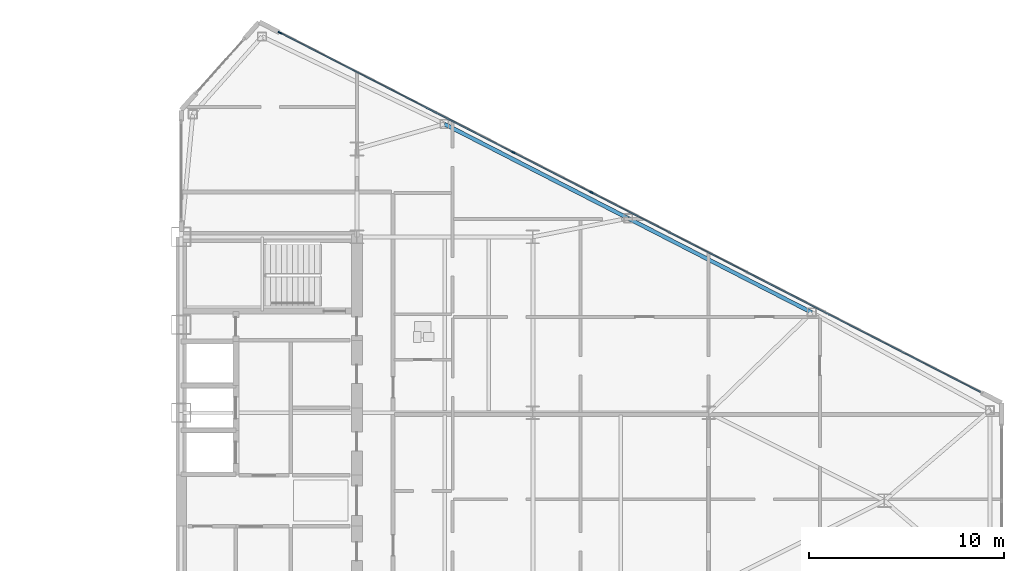
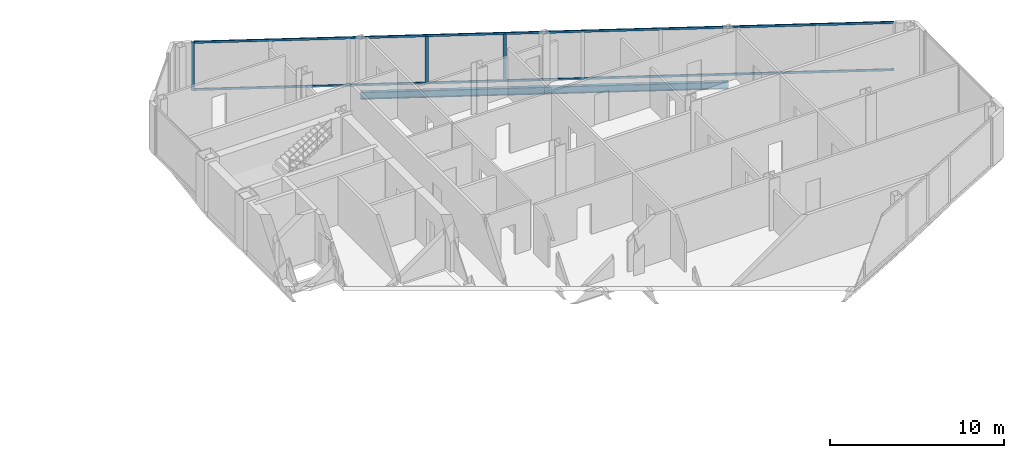
# One storey, part 12 of 22: 5 members, 2 beams, 1 element without a shape of its own.
"""IFC4 building model written with IfcOpenShell, lengths in metres."""

from ifc_helpers import new_model, si_unit, direction, frame, origin, origin_2d, place, context, subcontext, project, spatial, rectangle, i_section, extrude, source, transform, mapped, material, layer, layer_set, material_profile, profile_set, type_object, type_shapes, element, aggregate, save


model = new_model("IFC4")

# Units and contexts
model_context = context("Model", 3, precision=1e-05, world=origin(), true_north=direction((0.0, 1.0)))
body_context = subcontext(model_context, "Body", "Model", "MODEL_VIEW")
ifc_project = project(units=[si_unit("LENGTHUNIT", "METRE"), si_unit("AREAUNIT", "SQUARE_METRE"), si_unit("VOLUMEUNIT", "CUBIC_METRE"), si_unit("PLANEANGLEUNIT", "RADIAN"), si_unit("MASSUNIT", "GRAM", prefix="KILO")], contexts=[model_context])

# Site, building, storey
site_placement = place(None, origin())
site = spatial("IfcSite", under=ifc_project, at=site_placement, CompositionType="ELEMENT")
building_placement = place(site_placement, origin())
building = spatial("IfcBuilding", under=site, at=building_placement, Name="Seokmaru Belvedere", CompositionType="ELEMENT")
storey_placement = place(building_placement, frame((0.0, 0.0, 151.199951171875)))
storey = spatial("IfcBuildingStorey", under=building, at=storey_placement, Name="L40", CompositionType="ELEMENT", Elevation=151.199951171875)

# Beams
ifc_material_1 = material(Name="Steel SM355 (355 MPa)", Category="steel")
ifc_material_profile_1 = material_profile(ifc_material_1, i_section(OverallWidth=0.199951171875, OverallDepth=0.5, WebThickness=0.010009765625, FlangeThickness=0.01611328125, at=origin_2d()), Name="H-500x200x10x16")
ifc_profile_set_1 = profile_set([ifc_material_profile_1], Name="Steel SM355 (355 MPa)")
beam_type = type_object("IfcBeamType", Name="Perimeter Spandrel Beam H-500", PredefinedType="SPANDREL", material=ifc_profile_set_1)
shared_shape_1 = source(origin(), body_context, "Body", "SweptSolid", [
    extrude(i_section(OverallWidth=0.199951171875, OverallDepth=0.5, WebThickness=0.010009765625, FlangeThickness=0.01611328125, at=origin_2d()), origin(), (0.0, 0.0, 1.0), 10.56689453125),
])
type_shapes(beam_type, [shared_shape_1])
for number, where, z_axis, x_axis, name in (
    (1, (40.975830078125, 19.277587890625, -0.469970703125), (0.889701972758, -0.45654178305, 0.0), (0.45654178305, 0.889701972758, 0.0), "L40 E Faceted Flank Spandrel N-2"),
    (2, (50.377197265625, 14.453369140625, -0.469970703125), (0.889692588006, -0.456560071455, 0.0), (0.456560071455, 0.889692588006, 0.0), "L40 E Faceted Flank Spandrel N-3"),
):
    element("IfcBeam", number, at=place(storey_placement, frame(where, z_axis=z_axis, x_axis=x_axis)), inside=storey, type_object=beam_type, Name=name, PredefinedType="SPANDREL", context=body_context, shape_type="MappedRepresentation", body=[
        mapped(shared_shape_1, transform((0.0, 0.0, 0.0), scale=1.0)),
    ])

# Curtain wall, members
ifc_material_2 = material(Name="Bronze Triple Insulating Glass", Category="glass")
ifc_layer = layer(ifc_material_2, 0.195068359375)
ifc_layer_set = layer_set([ifc_layer], Name="Bronze Triple Insulating Glass")
curtain_wall_type = type_object("IfcCurtainWallType", Name="Sky-Lobby and Mid-Rise Curtain Wall System CW-4", PredefinedType="NOTDEFINED", material=ifc_layer_set)
curtain_wall_placement = place(storey_placement, origin())
curtain_wall = element("IfcCurtainWall", 3, at=curtain_wall_placement, inside=storey, type_object=curtain_wall_type, Name="L40 Curtain Wall EF3", PredefinedType="NOTDEFINED")
ifc_material_3 = material(Name="Anodised Bronze Aluminium", Category="aluminium")
ifc_material_profile_2 = material_profile(ifc_material_3, rectangle(XDim=0.070068359375, YDim=0.195068359375, at=origin_2d()), Name="CW-M-70x195")
ifc_profile_set_2 = profile_set([ifc_material_profile_2], Name="Anodised Bronze Aluminium")
member_type_1 = type_object("IfcMemberType", Name="Bronze Unitised Mullion 70x195", PredefinedType="MULLION", material=ifc_profile_set_2)
shared_shape_2 = source(origin(), body_context, "Body", "SweptSolid", [
    extrude(rectangle(XDim=0.070068359375, YDim=0.195068359375, at=origin_2d()), origin(), (0.0, 0.0, 1.0), 3.380126953125),
])
member_1_placement = place(storey_placement, frame((32.55419921875, 23.958984375, 0.0), z_axis=(0.0, 0.0, 1.0), x_axis=(-0.456554528263, -0.889695432562, 0.0)))
member_1 = element("IfcMember", 4, at=member_1_placement, type_object=member_type_1, Name="CW:L40:EF3 Mullion 10", PredefinedType="MULLION", context=body_context, shape_type="MappedRepresentation", body=[
    mapped(shared_shape_2, transform((0.0, 0.0, 0.0), scale=1.0)),
])
shared_shape_3 = source(origin(), body_context, "Body", "SweptSolid", [
    extrude(rectangle(XDim=0.070068359375, YDim=0.195068359375, at=origin_2d()), origin(), (0.0, 0.0, 1.0), 3.25),
])
type_shapes(member_type_1, [shared_shape_2, shared_shape_3])
member_2_placement = place(storey_placement, frame((48.502685546875, 15.77490234375, 0.06494140625), z_axis=(0.0, 0.0, 1.0), x_axis=(-0.456554528263, -0.889695432562, 0.0)))
member_2 = element("IfcMember", 5, at=member_2_placement, type_object=member_type_1, Name="CW:L40:EF3 Mullion 6", PredefinedType="MULLION", context=body_context, shape_type="MappedRepresentation", body=[
    mapped(shared_shape_3, transform((0.0, 0.0, 0.0), scale=1.0)),
])
member_3_placement = place(storey_placement, frame((44.5078125, 17.824951171875, 0.06494140625), z_axis=(0.0, 0.0, 1.0), x_axis=(-0.456554528263, -0.889695432562, 0.0)))
member_3 = element("IfcMember", 6, at=member_3_placement, type_object=member_type_1, Name="CW:L40:EF3 Mullion 7", PredefinedType="MULLION", context=body_context, shape_type="MappedRepresentation", body=[
    mapped(shared_shape_3, transform((0.0, 0.0, 0.0), scale=1.0)),
])
ifc_material_profile_3 = material_profile(ifc_material_3, rectangle(XDim=0.06494140625, YDim=0.14990234375, at=origin_2d()), Name="CW-T-65x150")
ifc_profile_set_3 = profile_set([ifc_material_profile_3], Name="Anodised Bronze Aluminium")
member_type_2 = type_object("IfcMemberType", Name="Bronze Unitised Transom 65x150", PredefinedType="USERDEFINED", material=ifc_profile_set_3)
shared_shape_4 = source(origin(), body_context, "Body", "SweptSolid", [
    extrude(rectangle(XDim=0.06494140625, YDim=0.14990234375, at=origin_2d()), origin(), (0.0, 0.0, 1.0), 40.271240234375),
])
type_shapes(member_type_2, [shared_shape_4])
member_4_placement = place(storey_placement, frame((68.41455078125, 5.556884765625, 0.032470703125), z_axis=(-0.889693089107, 0.456559094965, 0.0), x_axis=(-0.456559094965, -0.889693089107, 0.0)))
member_4 = element("IfcMember", 7, at=member_4_placement, type_object=member_type_2, Name="CW:L40:EF3 Continuous Transom 1", ObjectType="TRANSOM", PredefinedType="USERDEFINED", context=body_context, shape_type="MappedRepresentation", body=[
    mapped(shared_shape_4, transform((0.0, 0.0, 0.0), scale=1.0)),
])
member_5_placement = place(storey_placement, frame((68.41455078125, 5.556884765625, 3.34765625), z_axis=(-0.889693089107, 0.456559094965, 0.0), x_axis=(-0.456559094965, -0.889693089107, 0.0)))
member_5 = element("IfcMember", 8, at=member_5_placement, type_object=member_type_2, Name="CW:L40:EF3 Continuous Transom 2", ObjectType="TRANSOM", PredefinedType="USERDEFINED", context=body_context, shape_type="MappedRepresentation", body=[
    mapped(shared_shape_4, transform((0.0, 0.0, 0.0), scale=1.0)),
])
aggregate(curtain_wall, [member_2, member_3, member_1, member_4, member_5])

save(model, "model.ifc")
